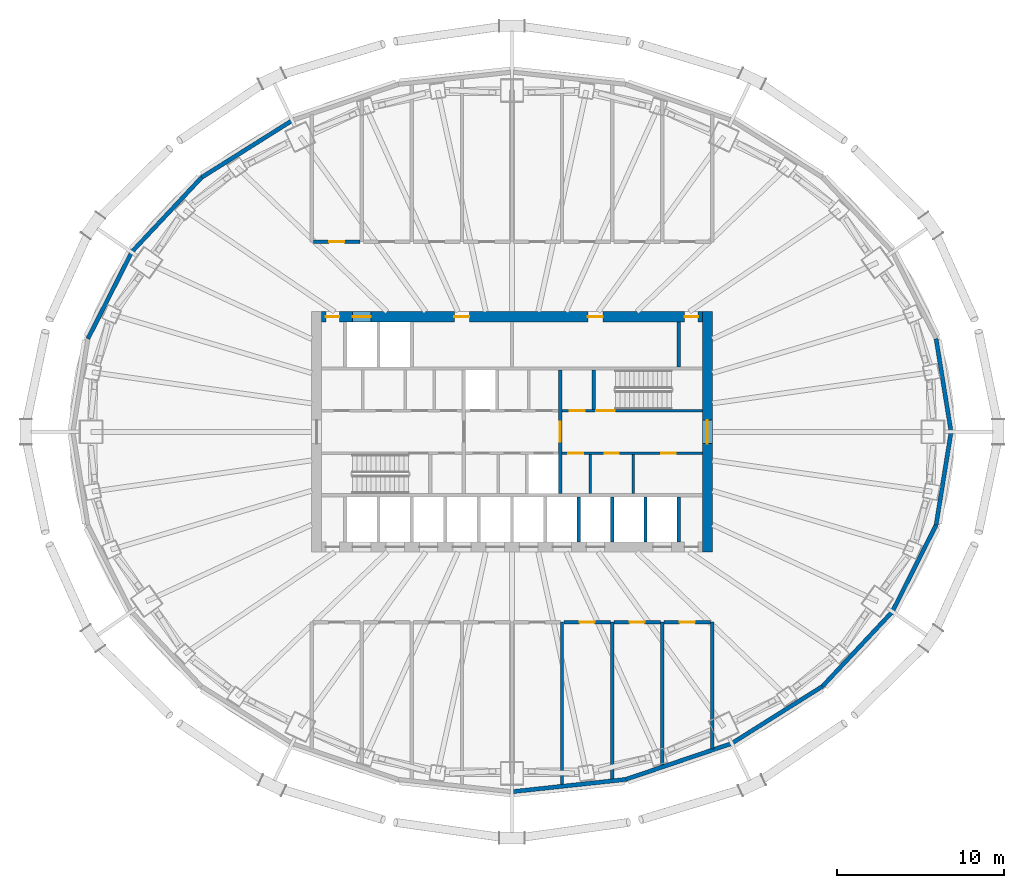
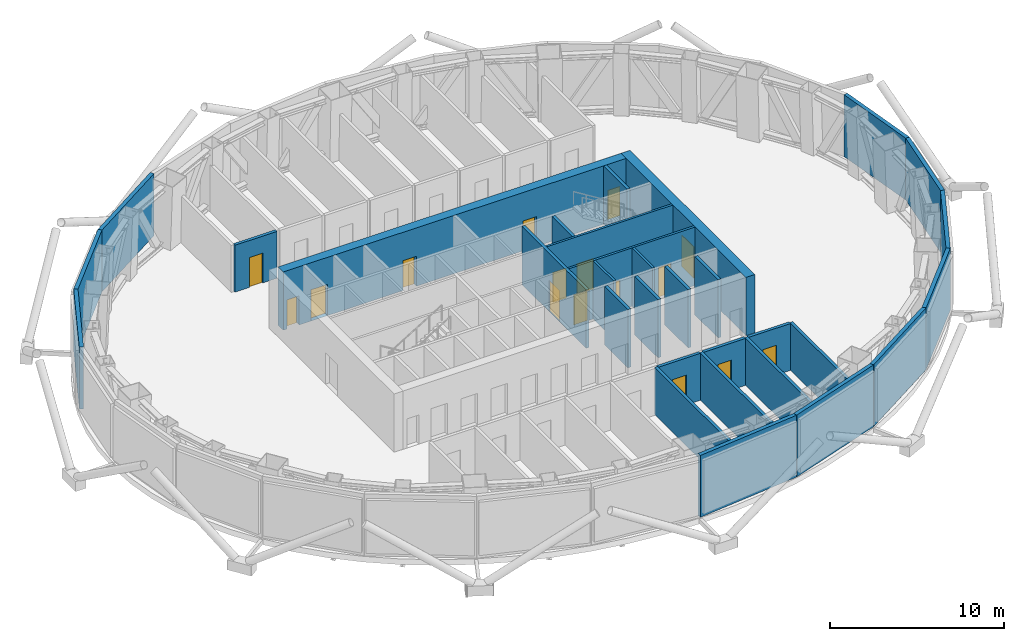
# One storey, part 7 of 18: 31 walls, 16 doors, 16 openings.
"""IFC4 building model written with IfcOpenShell, lengths in metres."""

from ifc_helpers import new_model, si_unit, direction, frame, frame_2d, origin, place, context, subcontext, project, spatial, rectangle, extrude, material, layer, layer_set, type_object, element, fill, save


model = new_model("IFC4")

# Units and contexts
model_context = context("Model", 3, precision=1e-05, world=origin(), true_north=direction((0.0, 1.0)))
body_context = subcontext(model_context, "Body", "Model", "MODEL_VIEW")
ifc_project = project(units=[si_unit("LENGTHUNIT", "METRE"), si_unit("AREAUNIT", "SQUARE_METRE"), si_unit("VOLUMEUNIT", "CUBIC_METRE"), si_unit("PLANEANGLEUNIT", "RADIAN"), si_unit("MASSUNIT", "GRAM", prefix="KILO")], contexts=[model_context])

# Site, building, storey
site_placement = place(None, origin())
site = spatial("IfcSite", under=ifc_project, at=site_placement, CompositionType="ELEMENT")
building_placement = place(site_placement, origin())
building = spatial("IfcBuilding", under=site, at=building_placement, Name="Siaravel Broadcast Tower", CompositionType="ELEMENT")
storey_placement = place(building_placement, frame((0.0, 0.0, 92.60009765625)))
storey = spatial("IfcBuildingStorey", under=building, at=storey_placement, Name="L21", CompositionType="ELEMENT", Elevation=92.60009765625)

# Walls
ifc_material_1 = material(Name="Concrete blockwork", Category="masonry")
ifc_layer_1 = layer(ifc_material_1, 0.14990234375)
ifc_layer_set_1 = layer_set([ifc_layer_1], Name="Concrete blockwork")
wall_type_1 = type_object("IfcWallType", Name="Core partition 150", PredefinedType="PARTITIONING", material=ifc_layer_set_1)
for number, where, z_axis, x_axis, name in (
    (1, (4.695068359375, -3.699951171875, 0.0), (0.0, 0.0, 1.0), (0.0, 1.0, 0.0), "L21 core partition PSE0"),
    (2, (7.27490234375, -3.699951171875, 0.0), (0.0, 0.0, 1.0), (0.0, 1.0, 0.0), "L21 core partition PSE1"),
):
    element("IfcWall", number, at=place(storey_placement, frame(where, z_axis=z_axis, x_axis=x_axis)), inside=storey, type_object=wall_type_1, Name=name, PredefinedType="PARTITIONING", context=body_context, shape_type="SweptSolid", body=[
        extrude(rectangle(XDim=2.349853515625, YDim=0.14990234375, at=frame_2d((1.1748046875, 0.0))), origin(), (0.0, 0.0, 1.0), 4.099853515625),
    ])

# Wall, opening, door
ifc_material_2 = material(Name="Concrete C60/75", Category="concrete")
ifc_layer_2 = layer(ifc_material_2, 0.60009765625)
ifc_layer_set_2 = layer_set([ifc_layer_2], Name="Concrete C60/75")
wall_type_2 = type_object("IfcWallType", Name="Core wall 600", PredefinedType="SHEAR", material=ifc_layer_set_2)
wall_1_placement = place(storey_placement, frame((11.699951171875, -7.199951171875, 0.0), z_axis=(0.0, 0.0, 1.0), x_axis=(0.0, 1.0, 0.0)))
wall_1 = element("IfcWall", 3, at=wall_1_placement, inside=storey, type_object=wall_type_2, Name="L21 core wall OE", PredefinedType="SHEAR", context=body_context, shape_type="SweptSolid", body=[
    extrude(rectangle(XDim=14.39990234375, YDim=0.60009765625, at=frame_2d((7.199951171875, 0.0))), origin(), (0.0, 0.0, 1.0), 4.099853515625),
])
opening_1_placement = place(wall_1_placement, frame((6.5, 0.0, 0.0)))
opening_1 = element("IfcOpeningElement", 4, at=opening_1_placement, cuts=wall_1, Name="Opening L21-DX-E", PredefinedType="OPENING", context=body_context, shape_type="SweptSolid", body=[
    extrude(rectangle(XDim=1.39990234375, YDim=2.199951171875, at=frame_2d((0.699951171875, 1.10009765625))), frame((0.0, 0.31005859375, 0.0), z_axis=(0.0, -1.0, 0.0), x_axis=(1.0, 0.0, 0.0)), (0.0, 0.0, 1.0), 0.6201171875),
])
ifc_material_3 = material(Name="Steel", Category="steel")
door_type_1 = type_object("IfcDoorType", Name="Core exit door 1400", OperationType="DOUBLE_DOOR_SINGLE_SWING", PredefinedType="DOOR", material=ifc_material_3)
door_1_placement = place(opening_1_placement, origin())
door_1 = element("IfcDoor", 5, at=door_1_placement, inside=storey, type_object=door_type_1, Name="L21 door DX-E", OperationType="DOUBLE_DOOR_SINGLE_SWING", OverallHeight=2.199951171875, OverallWidth=1.39990234375, PredefinedType="DOOR", context=body_context, shape_type="SweptSolid", body=[
    extrude(rectangle(XDim=1.39990234375, YDim=2.199951171875, at=frame_2d((0.699951171875, 1.10009765625))), frame((0.0, 0.02490234375, 0.0), z_axis=(0.0, -1.0, 0.0), x_axis=(1.0, 0.0, 0.0)), (0.0, 0.0, 1.0), 0.050048828125),
])
fill(opening_1, door_1)

# Wall, openings, doors
wall_2_placement = place(storey_placement, frame((-11.39990234375, 6.89990234375, 0.0), z_axis=(0.0, 0.0, 1.0), x_axis=(1.0, 0.0, 0.0)))
wall_2 = element("IfcWall", 6, at=wall_2_placement, inside=storey, type_object=wall_type_2, Name="L21 core wall ON", PredefinedType="SHEAR", context=body_context, shape_type="SweptSolid", body=[
    extrude(rectangle(XDim=22.7998046875, YDim=0.60009765625, at=frame_2d((11.39990234375, 0.0))), origin(), (0.0, 0.0, 1.0), 4.099853515625),
])
opening_2_placement = place(wall_2_placement, frame((1.85009765625, 0.0, 0.0)))
opening_2 = element("IfcOpeningElement", 7, at=opening_2_placement, cuts=wall_2, Name="Opening LD-SV2-L21", PredefinedType="OPENING", context=body_context, shape_type="SweptSolid", body=[
    extrude(rectangle(XDim=1.10009765625, YDim=2.199951171875, at=frame_2d((0.550048828125, 1.10009765625))), frame((0.0, 0.31005859375, 0.0), z_axis=(0.0, -1.0, 0.0), x_axis=(1.0, 0.0, 0.0)), (0.0, 0.0, 1.0), 0.6201171875),
])
opening_3_placement = place(wall_2_placement, frame((7.949951171875, 0.0, 0.0)))
opening_3 = element("IfcOpeningElement", 8, at=opening_3_placement, cuts=wall_2, Name="Opening L21-DFN2", PredefinedType="OPENING", context=body_context, shape_type="SweptSolid", body=[
    extrude(rectangle(XDim=0.89990234375, YDim=2.10009765625, at=frame_2d((0.449951171875, 1.050048828125))), frame((0.0, 0.31005859375, 0.0), z_axis=(0.0, -1.0, 0.0), x_axis=(1.0, 0.0, 0.0)), (0.0, 0.0, 1.0), 0.6201171875),
])
opening_4_placement = place(wall_2_placement, frame((15.949951171875, 0.0, 0.0)))
opening_4 = element("IfcOpeningElement", 9, at=opening_4_placement, cuts=wall_2, Name="Opening L21-DFN5", PredefinedType="OPENING", context=body_context, shape_type="SweptSolid", body=[
    extrude(rectangle(XDim=0.89990234375, YDim=2.10009765625, at=frame_2d((0.449951171875, 1.050048828125))), frame((0.0, 0.31005859375, 0.0), z_axis=(0.0, -1.0, 0.0), x_axis=(1.0, 0.0, 0.0)), (0.0, 0.0, 1.0), 0.6201171875),
])
opening_5_placement = place(wall_2_placement, frame((0.25, 0.0, 0.0)))
opening_5 = element("IfcOpeningElement", 10, at=opening_5_placement, cuts=wall_2, Name="Opening L21-DRNW", PredefinedType="OPENING", context=body_context, shape_type="SweptSolid", body=[
    extrude(rectangle(XDim=0.800048828125, YDim=2.050048828125, at=frame_2d((0.39990234375, 1.02490234375))), frame((0.0, 0.31005859375, 0.0), z_axis=(0.0, -1.0, 0.0), x_axis=(1.0, 0.0, 0.0)), (0.0, 0.0, 1.0), 0.6201171875),
])
opening_6_placement = place(wall_2_placement, frame((21.75, 0.0, 0.0)))
opening_6 = element("IfcOpeningElement", 11, at=opening_6_placement, cuts=wall_2, Name="Opening L21-DRNE", PredefinedType="OPENING", context=body_context, shape_type="SweptSolid", body=[
    extrude(rectangle(XDim=0.800048828125, YDim=2.050048828125, at=frame_2d((0.39990234375, 1.02490234375))), frame((0.0, 0.31005859375, 0.0), z_axis=(0.0, -1.0, 0.0), x_axis=(1.0, 0.0, 0.0)), (0.0, 0.0, 1.0), 0.6201171875),
])
ifc_material_4 = material(Name="Timber veneer", Category="wood")
door_type_2 = type_object("IfcDoorType", Name="Core room door 900", OperationType="SINGLE_SWING_LEFT", PredefinedType="DOOR", material=ifc_material_4)
door_2_placement = place(opening_3_placement, origin())
door_2 = element("IfcDoor", 12, at=door_2_placement, inside=storey, type_object=door_type_2, Name="L21 door DFN2", OperationType="SINGLE_SWING_LEFT", OverallHeight=2.10009765625, OverallWidth=0.89990234375, PredefinedType="DOOR", context=body_context, shape_type="SweptSolid", body=[
    extrude(rectangle(XDim=0.89990234375, YDim=2.10009765625, at=frame_2d((0.449951171875, 1.050048828125))), frame((0.0, 0.02490234375, 0.0), z_axis=(0.0, -1.0, 0.0), x_axis=(1.0, 0.0, 0.0)), (0.0, 0.0, 1.0), 0.050048828125),
])
fill(opening_3, door_2)
door_3_placement = place(opening_4_placement, origin())
door_3 = element("IfcDoor", 13, at=door_3_placement, inside=storey, type_object=door_type_2, Name="L21 door DFN5", OperationType="SINGLE_SWING_LEFT", OverallHeight=2.10009765625, OverallWidth=0.89990234375, PredefinedType="DOOR", context=body_context, shape_type="SweptSolid", body=[
    extrude(rectangle(XDim=0.89990234375, YDim=2.10009765625, at=frame_2d((0.449951171875, 1.050048828125))), frame((0.0, 0.02490234375, 0.0), z_axis=(0.0, -1.0, 0.0), x_axis=(1.0, 0.0, 0.0)), (0.0, 0.0, 1.0), 0.050048828125),
])
fill(opening_4, door_3)
door_type_3 = type_object("IfcDoorType", Name="Riser door 800", OperationType="SINGLE_SWING_LEFT", PredefinedType="DOOR", material=ifc_material_3)
door_4_placement = place(opening_5_placement, origin())
door_4 = element("IfcDoor", 14, at=door_4_placement, inside=storey, type_object=door_type_3, Name="L21 door DRNW", OperationType="SINGLE_SWING_LEFT", OverallHeight=2.050048828125, OverallWidth=0.800048828125, PredefinedType="DOOR", context=body_context, shape_type="SweptSolid", body=[
    extrude(rectangle(XDim=0.800048828125, YDim=2.050048828125, at=frame_2d((0.39990234375, 1.02490234375))), frame((0.0, 0.02490234375, 0.0), z_axis=(0.0, -1.0, 0.0), x_axis=(1.0, 0.0, 0.0)), (0.0, 0.0, 1.0), 0.050048828125),
])
fill(opening_5, door_4)
door_5_placement = place(opening_6_placement, origin())
door_5 = element("IfcDoor", 15, at=door_5_placement, inside=storey, type_object=door_type_3, Name="L21 door DRNE", OperationType="SINGLE_SWING_LEFT", OverallHeight=2.050048828125, OverallWidth=0.800048828125, PredefinedType="DOOR", context=body_context, shape_type="SweptSolid", body=[
    extrude(rectangle(XDim=0.800048828125, YDim=2.050048828125, at=frame_2d((0.39990234375, 1.02490234375))), frame((0.0, 0.02490234375, 0.0), z_axis=(0.0, -1.0, 0.0), x_axis=(1.0, 0.0, 0.0)), (0.0, 0.0, 1.0), 0.050048828125),
])
fill(opening_6, door_5)
ifc_material_5 = material(Name="Stainless steel 316L", Category="steel")
door_type_4 = type_object("IfcDoorType", Name="Service lift landing door 1100", OperationType="DOUBLE_DOOR_SLIDING", PredefinedType="DOOR", material=ifc_material_5)
door_6_placement = place(opening_2_placement, origin())
door_6 = element("IfcDoor", 16, at=door_6_placement, inside=storey, type_object=door_type_4, Name="Landing door SV2 L21", OperationType="DOUBLE_DOOR_SLIDING", OverallHeight=2.199951171875, OverallWidth=1.10009765625, PredefinedType="DOOR", context=body_context, shape_type="SweptSolid", body=[
    extrude(rectangle(XDim=1.10009765625, YDim=2.199951171875, at=frame_2d((0.550048828125, 1.10009765625))), frame((0.0, 0.02490234375, 0.0), z_axis=(0.0, -1.0, 0.0), x_axis=(1.0, 0.0, 0.0)), (0.0, 0.0, 1.0), 0.050048828125),
])
fill(opening_2, door_6)

ifc_material_6 = material(Name="Gypsum board partition", Category="gypsum")
ifc_layer_3 = layer(ifc_material_6, 0.14990234375)
ifc_layer_set_3 = layer_set([ifc_layer_3], Name="Gypsum board partition")
wall_type_3 = type_object("IfcWallType", Name="Corridor wall 150", PredefinedType="PARTITIONING", material=ifc_layer_set_3)
wall_3_placement = place(storey_placement, frame((3.0, -1.27490234375, 0.0), z_axis=(0.0, 0.0, 1.0), x_axis=(1.0, 0.0, 0.0)))
wall_3 = element("IfcWall", 17, at=wall_3_placement, inside=storey, type_object=wall_type_3, Name="L21 core partition CSE", PredefinedType="PARTITIONING", context=body_context, shape_type="SweptSolid", body=[
    extrude(rectangle(XDim=8.39990234375, YDim=0.14990234375, at=frame_2d((4.199951171875, 0.0))), origin(), (0.0, 0.0, 1.0), 4.099853515625),
])
opening_7_placement = place(wall_3_placement, frame((0.360107421875, 0.0, 0.0)))
opening_7 = element("IfcOpeningElement", 18, at=opening_7_placement, cuts=wall_3, Name="Opening L21-DSE0", PredefinedType="OPENING", context=body_context, shape_type="SweptSolid", body=[
    extrude(rectangle(XDim=0.89990234375, YDim=2.10009765625, at=frame_2d((0.449951171875, 1.050048828125))), frame((0.0, 0.0849609375, 0.0), z_axis=(0.0, -1.0, 0.0), x_axis=(1.0, 0.0, 0.0)), (0.0, 0.0, 1.0), 0.169921875),
])
opening_8_placement = place(wall_3_placement, frame((2.56005859375, 0.0, 0.0)))
opening_8 = element("IfcOpeningElement", 19, at=opening_8_placement, cuts=wall_3, Name="Opening L21-DSE1", PredefinedType="OPENING", context=body_context, shape_type="SweptSolid", body=[
    extrude(rectangle(XDim=0.85009765625, YDim=2.10009765625, at=frame_2d((0.425048828125, 1.050048828125))), frame((0.0, 0.0849609375, 0.0), z_axis=(0.0, -1.0, 0.0), x_axis=(1.0, 0.0, 0.0)), (0.0, 0.0, 1.0), 0.169921875),
])
opening_9_placement = place(wall_3_placement, frame((5.949951171875, 0.0, 0.0)))
opening_9 = element("IfcOpeningElement", 20, at=opening_9_placement, cuts=wall_3, Name="Opening L21-DSE2", PredefinedType="OPENING", context=body_context, shape_type="SweptSolid", body=[
    extrude(rectangle(XDim=0.85009765625, YDim=2.10009765625, at=frame_2d((0.425048828125, 1.050048828125))), frame((0.0, 0.0849609375, 0.0), z_axis=(0.0, -1.0, 0.0), x_axis=(1.0, 0.0, 0.0)), (0.0, 0.0, 1.0), 0.169921875),
])
door_7_placement = place(opening_7_placement, origin())
door_7 = element("IfcDoor", 21, at=door_7_placement, inside=storey, type_object=door_type_2, Name="L21 door DSE0", OperationType="SINGLE_SWING_LEFT", OverallHeight=2.10009765625, OverallWidth=0.89990234375, PredefinedType="DOOR", context=body_context, shape_type="SweptSolid", body=[
    extrude(rectangle(XDim=0.89990234375, YDim=2.10009765625, at=frame_2d((0.449951171875, 1.050048828125))), frame((0.0, 0.02490234375, 0.0), z_axis=(0.0, -1.0, 0.0), x_axis=(1.0, 0.0, 0.0)), (0.0, 0.0, 1.0), 0.050048828125),
])
fill(opening_7, door_7)
door_type_5 = type_object("IfcDoorType", Name="Core toilet door 850", OperationType="SINGLE_SWING_LEFT", PredefinedType="DOOR", material=ifc_material_4)
door_8_placement = place(opening_8_placement, origin())
door_8 = element("IfcDoor", 22, at=door_8_placement, inside=storey, type_object=door_type_5, Name="L21 door DSE1", OperationType="SINGLE_SWING_LEFT", OverallHeight=2.10009765625, OverallWidth=0.85009765625, PredefinedType="DOOR", context=body_context, shape_type="SweptSolid", body=[
    extrude(rectangle(XDim=0.85009765625, YDim=2.10009765625, at=frame_2d((0.425048828125, 1.050048828125))), frame((0.0, 0.02490234375, 0.0), z_axis=(0.0, -1.0, 0.0), x_axis=(1.0, 0.0, 0.0)), (0.0, 0.0, 1.0), 0.050048828125),
])
fill(opening_8, door_8)
door_9_placement = place(opening_9_placement, origin())
door_9 = element("IfcDoor", 23, at=door_9_placement, inside=storey, type_object=door_type_5, Name="L21 door DSE2", OperationType="SINGLE_SWING_LEFT", OverallHeight=2.10009765625, OverallWidth=0.85009765625, PredefinedType="DOOR", context=body_context, shape_type="SweptSolid", body=[
    extrude(rectangle(XDim=0.85009765625, YDim=2.10009765625, at=frame_2d((0.425048828125, 1.050048828125))), frame((0.0, 0.02490234375, 0.0), z_axis=(0.0, -1.0, 0.0), x_axis=(1.0, 0.0, 0.0)), (0.0, 0.0, 1.0), 0.050048828125),
])
fill(opening_9, door_9)

# Walls
ifc_layer_4 = layer(ifc_material_1, 0.199951171875)
ifc_layer_set_4 = layer_set([ifc_layer_4], Name="Concrete blockwork")
wall_type_4 = type_object("IfcWallType", Name="Plant room wall 200", PredefinedType="PARTITIONING", material=ifc_layer_set_4)
wall_4_placement = place(storey_placement, frame((3.0, -21.185791015625, 0.0), z_axis=(0.0, 0.0, 1.0), x_axis=(0.0, 1.0, 0.0)))
element("IfcWall", 24, at=wall_4_placement, inside=storey, type_object=wall_type_4, Name="L21 partition 5", PredefinedType="PARTITIONING", context=body_context, shape_type="SweptSolid", body=[
    extrude(rectangle(XDim=9.785888671875, YDim=0.199951171875, at=frame_2d((4.89306640625, 0.0))), origin(), (0.0, 0.0, 1.0), 3.2998046875),
])
wall_5_placement = place(storey_placement, frame((6.0, -20.8623046875, 0.0), z_axis=(0.0, 0.0, 1.0), x_axis=(0.0, 1.0, 0.0)))
element("IfcWall", 25, at=wall_5_placement, inside=storey, type_object=wall_type_4, Name="L21 partition 9", PredefinedType="PARTITIONING", context=body_context, shape_type="SweptSolid", body=[
    extrude(rectangle(XDim=9.46240234375, YDim=0.199951171875, at=frame_2d((4.731201171875, 0.0))), origin(), (0.0, 0.0, 1.0), 3.2998046875),
])
wall_6_placement = place(storey_placement, frame((9.0, -20.03125, 0.0), z_axis=(0.0, 0.0, 1.0), x_axis=(0.0, 1.0, 0.0)))
element("IfcWall", 26, at=wall_6_placement, inside=storey, type_object=wall_type_4, Name="L21 partition 13", PredefinedType="PARTITIONING", context=body_context, shape_type="SweptSolid", body=[
    extrude(rectangle(XDim=8.63134765625, YDim=0.199951171875, at=frame_2d((4.315673828125, 0.0))), origin(), (0.0, 0.0, 1.0), 3.2998046875),
])
wall_7_placement = place(storey_placement, frame((12.0, -19.013427734375, 0.0), z_axis=(0.0, 0.0, 1.0), x_axis=(0.0, 1.0, 0.0)))
element("IfcWall", 27, at=wall_7_placement, inside=storey, type_object=wall_type_4, Name="L21 partition 17", PredefinedType="PARTITIONING", context=body_context, shape_type="SweptSolid", body=[
    extrude(rectangle(XDim=7.62548828125, YDim=0.199951171875, at=frame_2d((3.812744140625, 0.0))), origin(), (0.0, 0.0, 1.0), 3.2998046875),
])

# Wall, opening, door
wall_8_placement = place(storey_placement, frame((-9.10205078125, 11.39990234375, 0.0), z_axis=(0.0, 0.0, 1.0), x_axis=(-1.0, 0.0, 0.0)))
wall_8 = element("IfcWall", 28, at=wall_8_placement, inside=storey, type_object=wall_type_4, Name="L21 partition 21", PredefinedType="PARTITIONING", context=body_context, shape_type="SweptSolid", body=[
    extrude(rectangle(XDim=2.7958984375, YDim=0.199951171875, at=frame_2d((1.39794921875, 0.0))), origin(), (0.0, 0.0, 1.0), 3.2998046875),
])
opening_10_placement = place(wall_8_placement, frame((0.947998046875, 0.0, 0.0)))
opening_10 = element("IfcOpeningElement", 29, at=opening_10_placement, cuts=wall_8, Name="Opening L21-001", PredefinedType="OPENING", context=body_context, shape_type="SweptSolid", body=[
    extrude(rectangle(XDim=0.89990234375, YDim=2.10009765625, at=frame_2d((0.449951171875, 1.050048828125))), frame((0.0, 0.10986328125, 0.0), z_axis=(0.0, -1.0, 0.0), x_axis=(1.0, 0.0, 0.0)), (0.0, 0.0, 1.0), 0.219970703125),
])
door_type_6 = type_object("IfcDoorType", Name="Plant room door 900", OperationType="SINGLE_SWING_LEFT", PredefinedType="DOOR", material=ifc_material_3)
door_10_placement = place(opening_10_placement, origin())
door_10 = element("IfcDoor", 30, at=door_10_placement, inside=storey, type_object=door_type_6, Name="L21 door to Chiller plant room", OperationType="SINGLE_SWING_LEFT", OverallHeight=2.10009765625, OverallWidth=0.89990234375, PredefinedType="DOOR", context=body_context, shape_type="SweptSolid", body=[
    extrude(rectangle(XDim=0.89990234375, YDim=2.10009765625, at=frame_2d((0.449951171875, 1.050048828125))), frame((0.0, 0.02490234375, 0.0), z_axis=(0.0, -1.0, 0.0), x_axis=(1.0, 0.0, 0.0)), (0.0, 0.0, 1.0), 0.050048828125),
])
fill(opening_10, door_10)

wall_9_placement = place(storey_placement, frame((3.10205078125, -11.39990234375, 0.0), z_axis=(0.0, 0.0, 1.0), x_axis=(1.0, 0.0, 0.0)))
wall_9 = element("IfcWall", 31, at=wall_9_placement, inside=storey, type_object=wall_type_4, Name="L21 partition 28", PredefinedType="PARTITIONING", context=body_context, shape_type="SweptSolid", body=[
    extrude(rectangle(XDim=2.7958984375, YDim=0.199951171875, at=frame_2d((1.39794921875, 0.0))), origin(), (0.0, 0.0, 1.0), 3.2998046875),
])
opening_11_placement = place(wall_9_placement, frame((0.947998046875, 0.0, 0.0)))
opening_11 = element("IfcOpeningElement", 32, at=opening_11_placement, cuts=wall_9, Name="Opening L21-014", PredefinedType="OPENING", context=body_context, shape_type="SweptSolid", body=[
    extrude(rectangle(XDim=0.89990234375, YDim=2.10009765625, at=frame_2d((0.449951171875, 1.050048828125))), frame((0.0, 0.10986328125, 0.0), z_axis=(0.0, -1.0, 0.0), x_axis=(1.0, 0.0, 0.0)), (0.0, 0.0, 1.0), 0.219970703125),
])
door_11_placement = place(opening_11_placement, origin())
door_11 = element("IfcDoor", 33, at=door_11_placement, inside=storey, type_object=door_type_6, Name="L21 door to UPS plant room", OperationType="SINGLE_SWING_RIGHT", OverallHeight=2.10009765625, OverallWidth=0.89990234375, PredefinedType="DOOR", context=body_context, shape_type="SweptSolid", body=[
    extrude(rectangle(XDim=0.89990234375, YDim=2.10009765625, at=frame_2d((0.449951171875, 1.050048828125))), frame((0.0, 0.02490234375, 0.0), z_axis=(0.0, -1.0, 0.0), x_axis=(1.0, 0.0, 0.0)), (0.0, 0.0, 1.0), 0.050048828125),
])
fill(opening_11, door_11)

wall_10_placement = place(storey_placement, frame((6.10205078125, -11.39990234375, 0.0), z_axis=(0.0, 0.0, 1.0), x_axis=(1.0, 0.0, 0.0)))
wall_10 = element("IfcWall", 34, at=wall_10_placement, inside=storey, type_object=wall_type_4, Name="L21 partition 30", PredefinedType="PARTITIONING", context=body_context, shape_type="SweptSolid", body=[
    extrude(rectangle(XDim=2.7958984375, YDim=0.199951171875, at=frame_2d((1.39794921875, 0.0))), origin(), (0.0, 0.0, 1.0), 3.2998046875),
])
opening_12_placement = place(wall_10_placement, frame((0.947998046875, 0.0, 0.0)))
opening_12 = element("IfcOpeningElement", 35, at=opening_12_placement, cuts=wall_10, Name="Opening L21-015", PredefinedType="OPENING", context=body_context, shape_type="SweptSolid", body=[
    extrude(rectangle(XDim=0.89990234375, YDim=2.10009765625, at=frame_2d((0.449951171875, 1.050048828125))), frame((0.0, 0.10986328125, 0.0), z_axis=(0.0, -1.0, 0.0), x_axis=(1.0, 0.0, 0.0)), (0.0, 0.0, 1.0), 0.219970703125),
])
door_12_placement = place(opening_12_placement, origin())
door_12 = element("IfcDoor", 36, at=door_12_placement, inside=storey, type_object=door_type_6, Name="L21 door to Battery plant room", OperationType="SINGLE_SWING_LEFT", OverallHeight=2.10009765625, OverallWidth=0.89990234375, PredefinedType="DOOR", context=body_context, shape_type="SweptSolid", body=[
    extrude(rectangle(XDim=0.89990234375, YDim=2.10009765625, at=frame_2d((0.449951171875, 1.050048828125))), frame((0.0, 0.02490234375, 0.0), z_axis=(0.0, -1.0, 0.0), x_axis=(1.0, 0.0, 0.0)), (0.0, 0.0, 1.0), 0.050048828125),
])
fill(opening_12, door_12)

wall_11_placement = place(storey_placement, frame((9.10205078125, -11.39990234375, 0.0), z_axis=(0.0, 0.0, 1.0), x_axis=(1.0, 0.0, 0.0)))
wall_11 = element("IfcWall", 37, at=wall_11_placement, inside=storey, type_object=wall_type_4, Name="L21 partition 32", PredefinedType="PARTITIONING", context=body_context, shape_type="SweptSolid", body=[
    extrude(rectangle(XDim=2.7958984375, YDim=0.199951171875, at=frame_2d((1.39794921875, 0.0))), origin(), (0.0, 0.0, 1.0), 3.2998046875),
])
opening_13_placement = place(wall_11_placement, frame((0.947998046875, 0.0, 0.0)))
opening_13 = element("IfcOpeningElement", 38, at=opening_13_placement, cuts=wall_11, Name="Opening L21-016", PredefinedType="OPENING", context=body_context, shape_type="SweptSolid", body=[
    extrude(rectangle(XDim=0.89990234375, YDim=2.10009765625, at=frame_2d((0.449951171875, 1.050048828125))), frame((0.0, 0.10986328125, 0.0), z_axis=(0.0, -1.0, 0.0), x_axis=(1.0, 0.0, 0.0)), (0.0, 0.0, 1.0), 0.219970703125),
])
door_13_placement = place(opening_13_placement, origin())
door_13 = element("IfcDoor", 39, at=door_13_placement, inside=storey, type_object=door_type_6, Name="L21 door to Smoke extract plant room", OperationType="SINGLE_SWING_RIGHT", OverallHeight=2.10009765625, OverallWidth=0.89990234375, PredefinedType="DOOR", context=body_context, shape_type="SweptSolid", body=[
    extrude(rectangle(XDim=0.89990234375, YDim=2.10009765625, at=frame_2d((0.449951171875, 1.050048828125))), frame((0.0, 0.02490234375, 0.0), z_axis=(0.0, -1.0, 0.0), x_axis=(1.0, 0.0, 0.0)), (0.0, 0.0, 1.0), 0.050048828125),
])
fill(opening_13, door_13)

# Walls
ifc_material_7 = material(Name="Concrete C40/50", Category="concrete")
ifc_layer_5 = layer(ifc_material_7, 0.25)
ifc_layer_set_5 = layer_set([ifc_layer_5], Name="Concrete C40/50")
wall_type_5 = type_object("IfcWallType", Name="Plant storey wall", PredefinedType="STANDARD", material=ifc_layer_set_5)
wall_12_placement = place(storey_placement, frame((26.309326171875, 0.0, 0.0), z_axis=(0.0, 0.0, 1.0), x_axis=(-0.158682605, 0.987329646, 0.0)))
element("IfcWall", 40, at=wall_12_placement, inside=storey, type_object=wall_type_5, Name="L21 plant storey wall 01", PredefinedType="STANDARD", context=body_context, shape_type="SweptSolid", body=[
    extrude(rectangle(XDim=5.654052734375, YDim=0.25, at=frame_2d((2.8271484375, 0.0))), origin(), (0.0, 0.0, 1.0), 4.349853515625),
])
wall_13_placement = place(storey_placement, frame((-13.151123046875, 18.6728515625, 0.0), z_axis=(0.0, 0.0, 1.0), x_axis=(-0.846644363, -0.532159115, 0.0)))
element("IfcWall", 41, at=wall_13_placement, inside=storey, type_object=wall_type_5, Name="L21 plant storey wall 09", PredefinedType="STANDARD", context=body_context, shape_type="SweptSolid", body=[
    extrude(rectangle(XDim=6.435791015625, YDim=0.25, at=frame_2d((3.2177734375, 0.0))), origin(), (0.0, 0.0, 1.0), 4.349853515625),
])
wall_14_placement = place(storey_placement, frame((-18.599853515625, 15.248046875, 0.0), z_axis=(0.0, 0.0, 1.0), x_axis=(-0.683663632, -0.729797258, 0.0)))
element("IfcWall", 42, at=wall_14_placement, inside=storey, type_object=wall_type_5, Name="L21 plant storey wall 10", PredefinedType="STANDARD", context=body_context, shape_type="SweptSolid", body=[
    extrude(rectangle(XDim=6.11767578125, YDim=0.25, at=frame_2d((3.058837890625, 0.0))), origin(), (0.0, 0.0, 1.0), 4.349853515625),
])
wall_15_placement = place(storey_placement, frame((-22.7822265625, 10.783447265625, 0.0), z_axis=(0.0, 0.0, 1.0), x_axis=(-0.451247307, -0.89239894, 0.0)))
element("IfcWall", 43, at=wall_15_placement, inside=storey, type_object=wall_type_5, Name="L21 plant storey wall 11", PredefinedType="STANDARD", context=body_context, shape_type="SweptSolid", body=[
    extrude(rectangle(XDim=5.828125, YDim=0.25, at=frame_2d((2.9140625, 0.0))), origin(), (0.0, 0.0, 1.0), 4.349853515625),
])
wall_16_placement = place(storey_placement, frame((0.0, -21.559326171875, 0.0), z_axis=(0.0, 0.0, 1.0), x_axis=(0.994234718, 0.107225586, 0.0)))
element("IfcWall", 44, at=wall_16_placement, inside=storey, type_object=wall_type_5, Name="L21 plant storey wall 19", PredefinedType="STANDARD", context=body_context, shape_type="SweptSolid", body=[
    extrude(rectangle(XDim=6.8466796875, YDim=0.25, at=frame_2d((3.42333984375, 0.0))), origin(), (0.0, 0.0, 1.0), 4.349853515625),
])
wall_17_placement = place(storey_placement, frame((6.80712890625, -20.8251953125, 0.0), z_axis=(0.0, 0.0, 1.0), x_axis=(0.946982462, 0.321285256, 0.0)))
element("IfcWall", 45, at=wall_17_placement, inside=storey, type_object=wall_type_5, Name="L21 plant storey wall 20", PredefinedType="STANDARD", context=body_context, shape_type="SweptSolid", body=[
    extrude(rectangle(XDim=6.69921875, YDim=0.25, at=frame_2d((3.349609375, 0.0))), origin(), (0.0, 0.0, 1.0), 4.349853515625),
])
wall_18_placement = place(storey_placement, frame((13.151123046875, -18.6728515625, 0.0), z_axis=(0.0, 0.0, 1.0), x_axis=(0.846644363, 0.532159115, 0.0)))
element("IfcWall", 46, at=wall_18_placement, inside=storey, type_object=wall_type_5, Name="L21 plant storey wall 21", PredefinedType="STANDARD", context=body_context, shape_type="SweptSolid", body=[
    extrude(rectangle(XDim=6.435791015625, YDim=0.25, at=frame_2d((3.2177734375, 0.0))), origin(), (0.0, 0.0, 1.0), 4.349853515625),
])
wall_19_placement = place(storey_placement, frame((18.599853515625, -15.248046875, 0.0), z_axis=(0.0, 0.0, 1.0), x_axis=(0.683663632, 0.729797258, 0.0)))
element("IfcWall", 47, at=wall_19_placement, inside=storey, type_object=wall_type_5, Name="L21 plant storey wall 22", PredefinedType="STANDARD", context=body_context, shape_type="SweptSolid", body=[
    extrude(rectangle(XDim=6.11767578125, YDim=0.25, at=frame_2d((3.058837890625, 0.0))), origin(), (0.0, 0.0, 1.0), 4.349853515625),
])
wall_20_placement = place(storey_placement, frame((22.7822265625, -10.783447265625, 0.0), z_axis=(0.0, 0.0, 1.0), x_axis=(0.451247307, 0.89239894, 0.0)))
element("IfcWall", 48, at=wall_20_placement, inside=storey, type_object=wall_type_5, Name="L21 plant storey wall 23", PredefinedType="STANDARD", context=body_context, shape_type="SweptSolid", body=[
    extrude(rectangle(XDim=5.828125, YDim=0.25, at=frame_2d((2.9140625, 0.0))), origin(), (0.0, 0.0, 1.0), 4.349853515625),
])
wall_21_placement = place(storey_placement, frame((25.412109375, -5.58251953125, 0.0), z_axis=(0.0, 0.0, 1.0), x_axis=(0.158682605, 0.987329646, 0.0)))
element("IfcWall", 49, at=wall_21_placement, inside=storey, type_object=wall_type_5, Name="L21 plant storey wall 24", PredefinedType="STANDARD", context=body_context, shape_type="SweptSolid", body=[
    extrude(rectangle(XDim=5.654052734375, YDim=0.25, at=frame_2d((2.8271484375, 0.0))), origin(), (0.0, 0.0, 1.0), 4.349853515625),
])

# Wall, openings, doors
ifc_layer_6 = layer(ifc_material_2, 0.14990234375)
ifc_layer_set_6 = layer_set([ifc_layer_6], Name="Concrete C60/75")
wall_type_6 = type_object("IfcWallType", Name="Shaft wall 150", PredefinedType="SHEAR", material=ifc_layer_set_6)
wall_22_placement = place(storey_placement, frame((3.0, 1.27490234375, 0.0), z_axis=(0.0, 0.0, 1.0), x_axis=(1.0, 0.0, 0.0)))
wall_22 = element("IfcWall", 50, at=wall_22_placement, inside=storey, type_object=wall_type_6, Name="L21 core wall CNE", PredefinedType="SHEAR", context=body_context, shape_type="SweptSolid", body=[
    extrude(rectangle(XDim=8.39990234375, YDim=0.14990234375, at=frame_2d((4.199951171875, 0.0))), origin(), (0.0, 0.0, 1.0), 4.099853515625),
])
opening_14_placement = place(wall_22_placement, frame((2.050048828125, 0.0, 0.0)))
opening_14 = element("IfcOpeningElement", 51, at=opening_14_placement, cuts=wall_22, Name="Opening L21-DS-2", PredefinedType="OPENING", context=body_context, shape_type="SweptSolid", body=[
    extrude(rectangle(XDim=1.10009765625, YDim=2.14990234375, at=frame_2d((0.550048828125, 1.074951171875))), frame((0.0, 0.0849609375, 0.0), z_axis=(0.0, -1.0, 0.0), x_axis=(1.0, 0.0, 0.0)), (0.0, 0.0, 1.0), 0.169921875),
])
opening_15_placement = place(wall_22_placement, frame((0.449951171875, 0.0, 0.0)))
opening_15 = element("IfcOpeningElement", 52, at=opening_15_placement, cuts=wall_22, Name="Opening L21-DNE0", PredefinedType="OPENING", context=body_context, shape_type="SweptSolid", body=[
    extrude(rectangle(XDim=0.89990234375, YDim=2.10009765625, at=frame_2d((0.449951171875, 1.050048828125))), frame((0.0, 0.0849609375, 0.0), z_axis=(0.0, -1.0, 0.0), x_axis=(1.0, 0.0, 0.0)), (0.0, 0.0, 1.0), 0.169921875),
])
door_14_placement = place(opening_15_placement, origin())
door_14 = element("IfcDoor", 53, at=door_14_placement, inside=storey, type_object=door_type_2, Name="L21 door DNE0", OperationType="SINGLE_SWING_LEFT", OverallHeight=2.10009765625, OverallWidth=0.89990234375, PredefinedType="DOOR", context=body_context, shape_type="SweptSolid", body=[
    extrude(rectangle(XDim=0.89990234375, YDim=2.10009765625, at=frame_2d((0.449951171875, 1.050048828125))), frame((0.0, 0.02490234375, 0.0), z_axis=(0.0, -1.0, 0.0), x_axis=(1.0, 0.0, 0.0)), (0.0, 0.0, 1.0), 0.050048828125),
])
fill(opening_15, door_14)
door_type_7 = type_object("IfcDoorType", Name="Stair door 1100", OperationType="SINGLE_SWING_LEFT", PredefinedType="DOOR", material=ifc_material_3)
door_15_placement = place(opening_14_placement, origin())
door_15 = element("IfcDoor", 54, at=door_15_placement, inside=storey, type_object=door_type_7, Name="L21 door DS-2", OperationType="SINGLE_SWING_LEFT", OverallHeight=2.14990234375, OverallWidth=1.10009765625, PredefinedType="DOOR", context=body_context, shape_type="SweptSolid", body=[
    extrude(rectangle(XDim=1.10009765625, YDim=2.14990234375, at=frame_2d((0.550048828125, 1.074951171875))), frame((0.0, 0.02490234375, 0.0), z_axis=(0.0, -1.0, 0.0), x_axis=(1.0, 0.0, 0.0)), (0.0, 0.0, 1.0), 0.050048828125),
])
fill(opening_14, door_15)

# Walls
ifc_layer_7 = layer(ifc_material_2, 0.199951171875)
ifc_layer_set_7 = layer_set([ifc_layer_7], Name="Concrete C60/75")
wall_type_7 = type_object("IfcWallType", Name="Shaft wall 200", PredefinedType="SHEAR", material=ifc_layer_set_7)
for number, where, z_axis, x_axis, name in (
    (55, (4.0, -6.60009765625, 0.0), (0.0, 0.0, 1.0), (0.0, 1.0, 0.0), "L21 core wall SWS7"),
    (56, (6.0, -6.60009765625, 0.0), (0.0, 0.0, 1.0), (0.0, 1.0, 0.0), "L21 core wall SWS8"),
    (57, (8.0, -6.60009765625, 0.0), (0.0, 0.0, 1.0), (0.0, 1.0, 0.0), "L21 core wall SWS9"),
    (58, (10.0, -6.60009765625, 0.0), (0.0, 0.0, 1.0), (0.0, 1.0, 0.0), "L21 core wall SWS10"),
    (59, (10.0, 3.89990234375, 0.0), (0.0, 0.0, 1.0), (0.0, 1.0, 0.0), "L21 core wall SWN10"),
):
    element("IfcWall", number, at=place(storey_placement, frame(where, z_axis=z_axis, x_axis=x_axis)), inside=storey, type_object=wall_type_7, Name=name, PredefinedType="SHEAR", context=body_context, shape_type="SweptSolid", body=[
        extrude(rectangle(XDim=2.7001953125, YDim=0.199951171875, at=frame_2d((1.35009765625, 0.0))), origin(), (0.0, 0.0, 1.0), 4.099853515625),
    ])

# Wall, opening, door
wall_23_placement = place(storey_placement, frame((2.89990234375, -3.699951171875, 0.0), z_axis=(0.0, 0.0, 1.0), x_axis=(0.0, 1.0, 0.0)))
wall_23 = element("IfcWall", 60, at=wall_23_placement, inside=storey, type_object=wall_type_7, Name="L21 core wall LE", PredefinedType="SHEAR", context=body_context, shape_type="SweptSolid", body=[
    extrude(rectangle(XDim=7.39990234375, YDim=0.199951171875, at=frame_2d((3.699951171875, 0.0))), origin(), (0.0, 0.0, 1.0), 4.099853515625),
])
opening_16_placement = place(wall_23_placement, frame((3.10009765625, 0.0, 0.0)))
opening_16 = element("IfcOpeningElement", 61, at=opening_16_placement, cuts=wall_23, Name="Opening L21-DL-E", PredefinedType="OPENING", context=body_context, shape_type="SweptSolid", body=[
    extrude(rectangle(XDim=1.199951171875, YDim=2.199951171875, at=frame_2d((0.60009765625, 1.10009765625))), frame((0.0, 0.10986328125, 0.0), z_axis=(0.0, -1.0, 0.0), x_axis=(1.0, 0.0, 0.0)), (0.0, 0.0, 1.0), 0.219970703125),
])
door_type_8 = type_object("IfcDoorType", Name="Firefighting lobby door 1200", OperationType="SINGLE_SWING_LEFT", PredefinedType="DOOR", material=ifc_material_3)
door_16_placement = place(opening_16_placement, origin())
door_16 = element("IfcDoor", 62, at=door_16_placement, inside=storey, type_object=door_type_8, Name="L21 door DL-E", OperationType="SINGLE_SWING_LEFT", OverallHeight=2.199951171875, OverallWidth=1.199951171875, PredefinedType="DOOR", context=body_context, shape_type="SweptSolid", body=[
    extrude(rectangle(XDim=1.199951171875, YDim=2.199951171875, at=frame_2d((0.60009765625, 1.10009765625))), frame((0.0, 0.02490234375, 0.0), z_axis=(0.0, -1.0, 0.0), x_axis=(1.0, 0.0, 0.0)), (0.0, 0.0, 1.0), 0.050048828125),
])
fill(opening_16, door_16)

# Wall
wall_24_placement = place(storey_placement, frame((4.89990234375, 1.35009765625, 0.0), z_axis=(0.0, 0.0, 1.0), x_axis=(0.0, 1.0, 0.0)))
element("IfcWall", 63, at=wall_24_placement, inside=storey, type_object=wall_type_7, Name="L21 core wall ST2W", PredefinedType="SHEAR", context=body_context, shape_type="SweptSolid", body=[
    extrude(rectangle(XDim=2.349853515625, YDim=0.199951171875, at=frame_2d((1.1748046875, 0.0))), origin(), (0.0, 0.0, 1.0), 4.099853515625),
])

save(model, "model.ifc")
